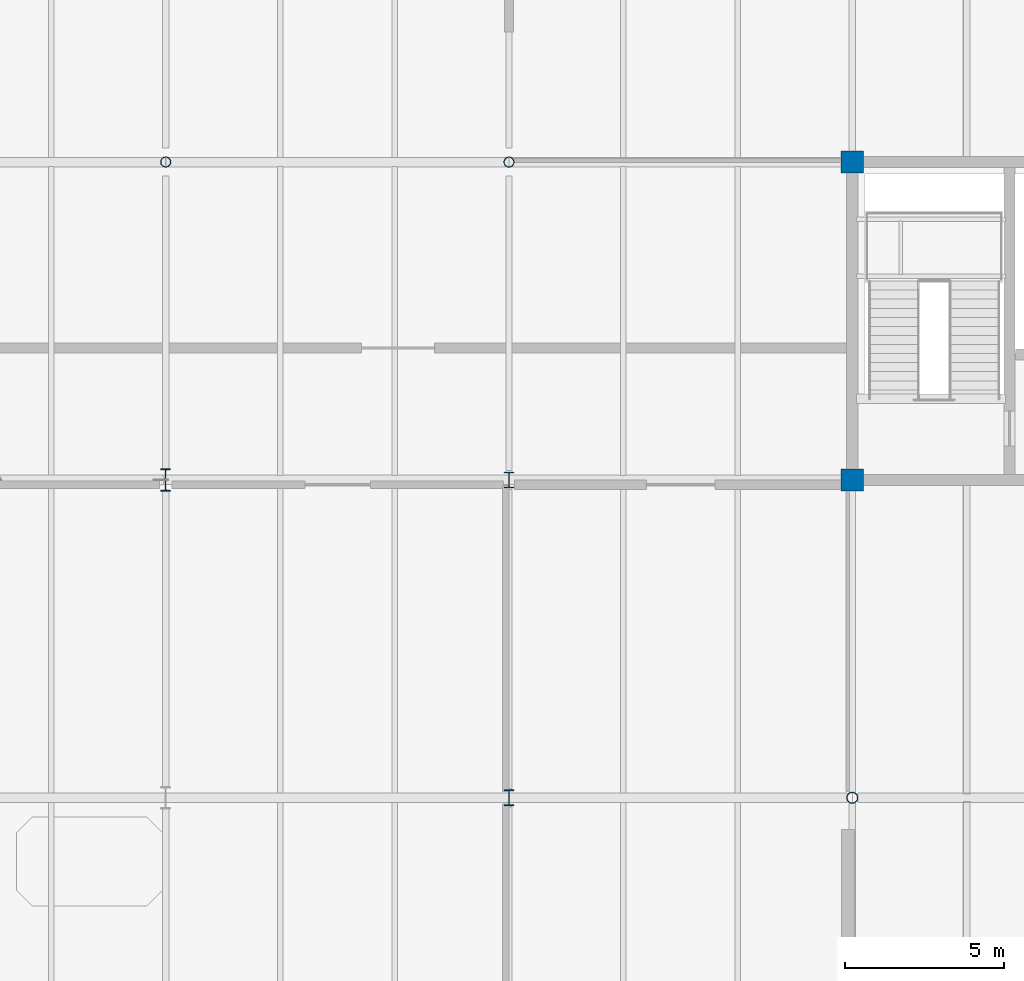
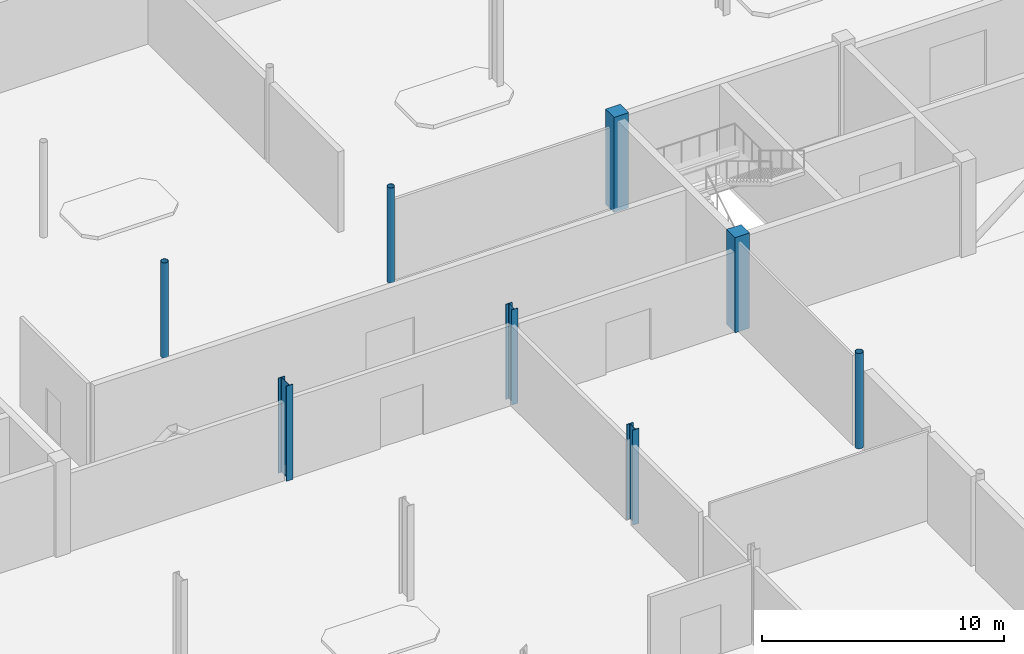
# One storey, part 9 of 92: 8 columns.
"""IFC4 building model written with IfcOpenShell, lengths in metres."""

from ifc_helpers import new_model, si_unit, direction, frame, origin, origin_2d, place, context, subcontext, project, spatial, rectangle, hollow_circle, i_section, extrude, material, material_profile, profile_set, type_object, element, save


model = new_model("IFC4")

# Units and contexts
model_context = context("Model", 3, precision=1e-05, world=origin(), true_north=direction((0.0, 1.0)))
body_context = subcontext(model_context, "Body", "Model", "MODEL_VIEW")
ifc_project = project(units=[si_unit("LENGTHUNIT", "METRE"), si_unit("AREAUNIT", "SQUARE_METRE"), si_unit("VOLUMEUNIT", "CUBIC_METRE"), si_unit("PLANEANGLEUNIT", "RADIAN"), si_unit("MASSUNIT", "GRAM", prefix="KILO")], contexts=[model_context])

# Site, building, storey
site_placement = place(None, origin())
site = spatial("IfcSite", under=ifc_project, at=site_placement, CompositionType="ELEMENT")
building_placement = place(site_placement, origin())
building = spatial("IfcBuilding", under=site, at=building_placement, Name="Tasgan Crest Museum", CompositionType="ELEMENT")
storey_placement = place(building_placement, frame((0.0, 0.0, 4.800048828125)))
storey = spatial("IfcBuildingStorey", under=building, at=storey_placement, Name="L01", CompositionType="ELEMENT", Elevation=4.800048828125)

# Columns
ifc_material_1 = material(Name="Steel S355K2", Category="steel")
ifc_material_profile_1 = material_profile(ifc_material_1, hollow_circle(Radius=0.161865234375, WallThickness=0.01416015625, at=origin_2d()), Name="CHS 323.9x14.2")
ifc_profile_set_1 = profile_set([ifc_material_profile_1], Name="Steel S355K2")
column_type_1 = type_object("IfcColumnType", Name="COL-CHS323", PredefinedType="COLUMN", material=ifc_profile_set_1)
for number, where, z_axis, x_axis, name in (
    (1, (32.39990234375, 92.0, 0.0), (0.0, 0.0, 1.0), (1.0, 0.0, 0.0), "Column 4/K L01"),
    (2, (43.199951171875, 92.0, 0.0), (0.0, 0.0, 1.0), (1.0, 0.0, 0.0), "Column 5/K L01"),
):
    element("IfcColumn", number, at=place(storey_placement, frame(where, z_axis=z_axis, x_axis=x_axis)), inside=storey, type_object=column_type_1, Name=name, PredefinedType="COLUMN", context=body_context, shape_type="SweptSolid", body=[
        extrude(hollow_circle(Radius=0.161865234375, WallThickness=0.01416015625, at=origin_2d()), origin(), (0.0, 0.0, 1.0), 4.800048828125),
    ])
ifc_material_2 = material(Name="Steel S355K2", Category="steel")
ifc_material_profile_2 = material_profile(ifc_material_2, hollow_circle(Radius=0.177734375, WallThickness=0.01611328125, at=origin_2d()), Name="CHS 355.6x16")
ifc_profile_set_2 = profile_set([ifc_material_profile_2], Name="Steel S355K2")
column_type_2 = type_object("IfcColumnType", Name="COL-CHS355", PredefinedType="COLUMN", material=ifc_profile_set_2)
column_1_placement = place(storey_placement, frame((54.0, 72.0, 0.0), z_axis=(0.0, 0.0, 1.0), x_axis=(1.0, 0.0, 0.0)))
element("IfcColumn", 3, at=column_1_placement, inside=storey, type_object=column_type_2, Name="Column 6/H L01", PredefinedType="COLUMN", context=body_context, shape_type="SweptSolid", body=[
    extrude(hollow_circle(Radius=0.177734375, WallThickness=0.01611328125, at=origin_2d()), origin(), (0.0, 0.0, 1.0), 4.800048828125),
])
ifc_material_3 = material(Name="Steel S355J2", Category="steel")
ifc_material_profile_3 = material_profile(ifc_material_3, i_section(OverallWidth=0.300048828125, OverallDepth=0.5, WebThickness=0.014404296875, FlangeThickness=0.028076171875, FilletRadius=0.027099609375, at=origin_2d()), Name="HEB 500")
ifc_profile_set_3 = profile_set([ifc_material_profile_3], Name="Steel S355J2")
column_type_3 = type_object("IfcColumnType", Name="COL-HEB500", PredefinedType="COLUMN", material=ifc_profile_set_3)
for number, where, z_axis, x_axis, name in (
    (4, (43.199951171875, 72.0, 0.0), (0.0, 0.0, 1.0), (1.0, 0.0, 0.0), "Column 5/H L01"),
    (5, (43.199951171875, 82.0, 0.0), (0.0, 0.0, 1.0), (1.0, 0.0, 0.0), "Column 5/J L01"),
):
    element("IfcColumn", number, at=place(storey_placement, frame(where, z_axis=z_axis, x_axis=x_axis)), inside=storey, type_object=column_type_3, Name=name, PredefinedType="COLUMN", context=body_context, shape_type="SweptSolid", body=[
        extrude(i_section(OverallWidth=0.300048828125, OverallDepth=0.5, WebThickness=0.014404296875, FlangeThickness=0.028076171875, FilletRadius=0.027099609375, at=origin_2d()), origin(), (0.0, 0.0, 1.0), 4.800048828125),
    ])
ifc_material_4 = material(Name="Steel S355K2", Category="steel")
ifc_material_profile_4 = material_profile(ifc_material_4, i_section(OverallWidth=0.300048828125, OverallDepth=0.699951171875, WebThickness=0.01708984375, FlangeThickness=0.031982421875, FilletRadius=0.027099609375, at=origin_2d()), Name="HEB 700")
ifc_profile_set_4 = profile_set([ifc_material_profile_4], Name="Steel S355K2")
column_type_4 = type_object("IfcColumnType", Name="COL-HEB700", PredefinedType="COLUMN", material=ifc_profile_set_4)
column_2_placement = place(storey_placement, frame((32.39990234375, 82.0, 0.0), z_axis=(0.0, 0.0, 1.0), x_axis=(1.0, 0.0, 0.0)))
element("IfcColumn", 6, at=column_2_placement, inside=storey, type_object=column_type_4, Name="Column 4/J L01", PredefinedType="COLUMN", context=body_context, shape_type="SweptSolid", body=[
    extrude(i_section(OverallWidth=0.300048828125, OverallDepth=0.699951171875, WebThickness=0.01708984375, FlangeThickness=0.031982421875, FilletRadius=0.027099609375, at=origin_2d()), origin(), (0.0, 0.0, 1.0), 4.800048828125),
])
ifc_material_5 = material(Name="Concrete C40/50", Category="concrete")
ifc_material_profile_5 = material_profile(ifc_material_5, rectangle(XDim=0.699951171875, YDim=0.699951171875, at=origin_2d()), Name="RC 700x700")
ifc_profile_set_5 = profile_set([ifc_material_profile_5], Name="Concrete C40/50")
column_type_5 = type_object("IfcColumnType", Name="COL-RC700", PredefinedType="COLUMN", material=ifc_profile_set_5)
for number, where, z_axis, x_axis, name in (
    (7, (54.0, 82.0, 0.0), (0.0, 0.0, 1.0), (1.0, 0.0, 0.0), "Column 6/J L01"),
    (8, (54.0, 92.0, 0.0), (0.0, 0.0, 1.0), (1.0, 0.0, 0.0), "Column 6/K L01"),
):
    element("IfcColumn", number, at=place(storey_placement, frame(where, z_axis=z_axis, x_axis=x_axis)), inside=storey, type_object=column_type_5, Name=name, PredefinedType="COLUMN", context=body_context, shape_type="SweptSolid", body=[
        extrude(rectangle(XDim=0.699951171875, YDim=0.699951171875, at=origin_2d()), origin(), (0.0, 0.0, 1.0), 4.800048828125),
    ])

save(model, "model.ifc")
